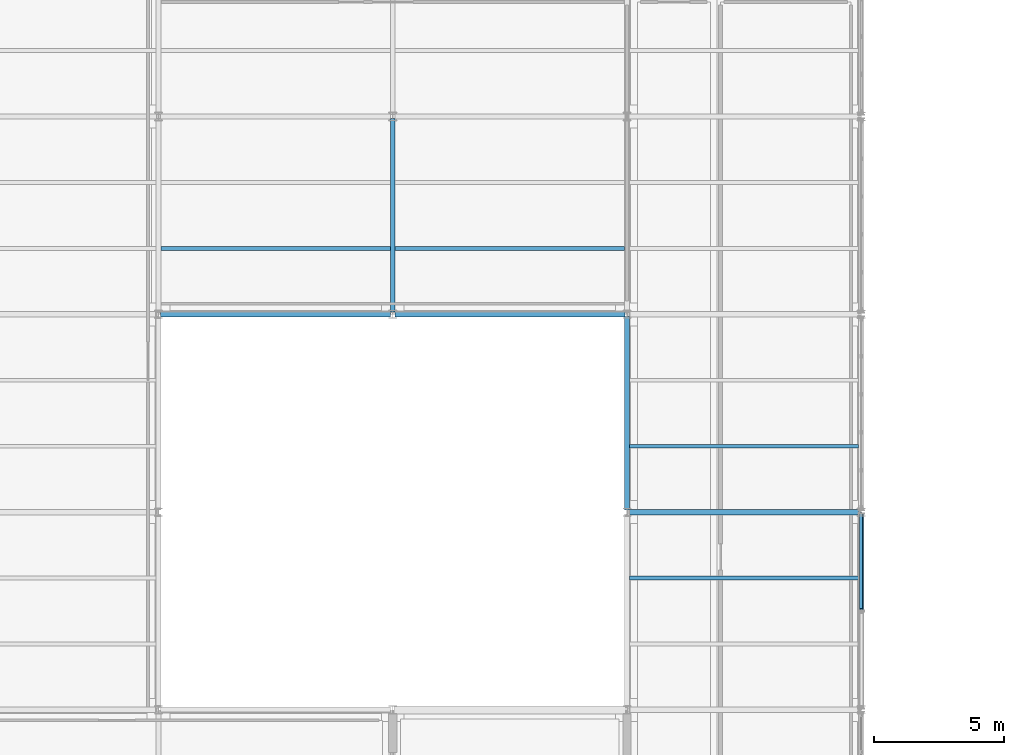
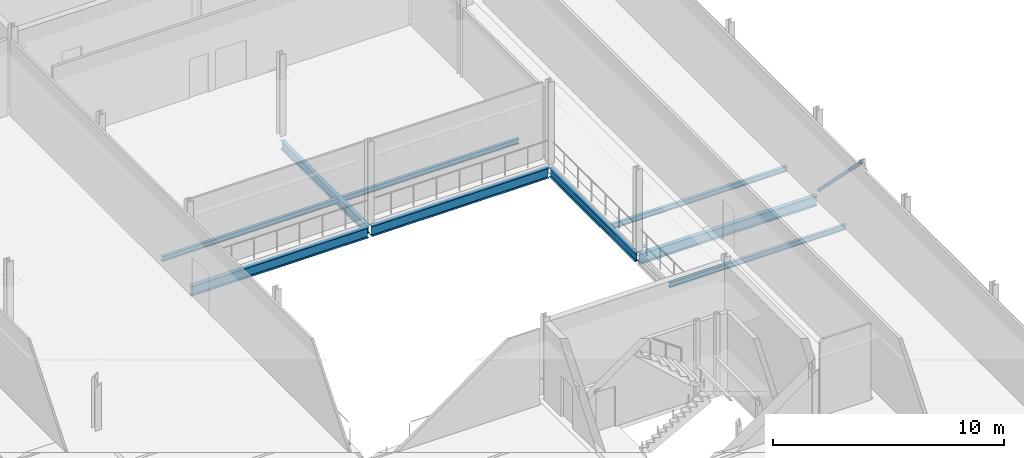
# One storey, part 116 of 166: 9 beams, 1 member.
"""IFC4 building model written with IfcOpenShell, lengths in metres."""

import ifcopenshell
import ifcopenshell.guid

model = None  # the IFC model being written
_history = None  # IfcOwnerHistory: only IFC2X3 demands one
_inside = {}  # id of a spatial element -> (the spatial element, [elements in it])
_under = {}  # id of a project, library or spatial element -> (it, [spatial elements below it])
_declared = {}  # id of a project -> (the project, [libraries it declares])
_typed = {}  # id of a type object -> (the type object, [elements of that type])
_made_of = {}  # id of a material, layer set ... -> (it, [elements and type objects made of it])


def new_model(schema):
    """Start an empty IFC model of exactly this schema.

    Asked for "IFC4X3", IfcOpenShell would pick the latest addendum, in which some entities
    have other attributes; the version numbers below select the first issue.
    IFC2X3 requires an IfcOwnerHistory on every rooted entity: one is made here for all.
    """
    global model, _history
    if schema == "IFC4X3":
        model = ifcopenshell.file(schema_version=(4, 3, 0, 0))
    else:
        model = ifcopenshell.file(schema=schema)
    _inside.clear()
    _under.clear()
    _declared.clear()
    _typed.clear()
    _made_of.clear()
    _history = None
    if model.schema == "IFC2X3":
        org = make("IfcOrganization", Name="unknown")
        user = make(
            "IfcPersonAndOrganization",
            ThePerson=make("IfcPerson", FamilyName="unknown"),
            TheOrganization=org,
        )
        app = make(
            "IfcApplication",
            ApplicationDeveloper=org,
            Version="unknown",
            ApplicationFullName="unknown",
            ApplicationIdentifier="unknown",
        )
        _history = make(
            "IfcOwnerHistory",
            OwningUser=user,
            OwningApplication=app,
            ChangeAction="ADDED",
            CreationDate=0,
        )
    return model


def make(cls, **values):
    """One entity of the class cls with the attributes given. An attribute that is None is left unset."""
    return model.create_entity(
        cls, **{name: value for name, value in values.items() if value is not None}
    )


def rooted(cls, **values):
    """An entity with a GlobalId (a new one), such as an element, a storey or a relation."""
    return make(cls, GlobalId=ifcopenshell.guid.new(), OwnerHistory=_history, **values)


def si_unit(unit_type, name, prefix=None):
    """IfcSIUnit, for example si_unit("LENGTHUNIT", "METRE", prefix="MILLI")."""
    return make("IfcSIUnit", UnitType=unit_type, Prefix=prefix, Name=name)


def assignment(units):
    """IfcUnitAssignment: the units of a project."""
    return None if units is None else make("IfcUnitAssignment", Units=units)


def point(xyz):
    """IfcCartesianPoint."""
    return None if xyz is None else make("IfcCartesianPoint", Coordinates=xyz)


def direction(xyz):
    """IfcDirection."""
    return None if xyz is None else make("IfcDirection", DirectionRatios=xyz)


def frame(location, z_axis=None, x_axis=None):
    """IfcAxis2Placement3D, a coordinate frame: its origin and axes. An axis left out is left unset."""
    return make(
        "IfcAxis2Placement3D",
        Location=point(location),
        Axis=direction(z_axis),
        RefDirection=direction(x_axis),
    )


def frame_2d(location, x_axis=None):
    """IfcAxis2Placement2D, a coordinate frame in the plane: its origin and x axis."""
    return make(
        "IfcAxis2Placement2D", Location=point(location), RefDirection=direction(x_axis)
    )


def origin():
    """The frame at (0, 0, 0) with its axes left unset."""
    return frame((0.0, 0.0, 0.0))


def origin_2d():
    """The frame at (0, 0) in the plane with its x axis left unset."""
    return frame_2d((0.0, 0.0))


def place(relative_to, where):
    """IfcLocalPlacement: puts the frame where relative to a parent placement (None: the world)."""
    return make(
        "IfcLocalPlacement", PlacementRelTo=relative_to, RelativePlacement=where
    )


def context(
    kind, dimensions, precision=None, world=None, true_north=None, identifier=None
):
    """IfcGeometricRepresentationContext, for example the 3D "Model" context."""
    return make(
        "IfcGeometricRepresentationContext",
        ContextIdentifier=identifier,
        ContextType=kind,
        CoordinateSpaceDimension=dimensions,
        Precision=precision,
        WorldCoordinateSystem=world,
        TrueNorth=true_north,
    )


def subcontext(parent, identifier, kind, view, scale=None):
    """IfcGeometricRepresentationSubContext, for example "Body" below "Model"."""
    return make(
        "IfcGeometricRepresentationSubContext",
        ContextIdentifier=identifier,
        ContextType=kind,
        ParentContext=parent,
        TargetScale=scale,
        TargetView=view,
    )


def project(units=None, contexts=None):
    """IfcProject with its units and contexts."""
    return rooted(
        "IfcProject",
        Name="project",
        RepresentationContexts=contexts,
        UnitsInContext=assignment(units),
    )


def spatial(cls, under=None, at=None, **own):
    """A site, building, storey or space (cls), placed at a placement, below another one or the project."""
    s = rooted(cls, ObjectPlacement=at, **own)
    if under is not None:
        _under.setdefault(under.id(), (under, []))[1].append(s)
    return s


def profile(cls, at=None, kind="AREA", **sizes):
    """A parametric profile (cls). Its sizes go by their IFC names, for example OverallWidth=200.0."""
    return make(cls, ProfileType=kind, Position=at, **sizes)


def hollow_circle(**sizes):
    """IfcCircleHollowProfileDef."""
    return profile("IfcCircleHollowProfileDef", **sizes)


def i_section(**sizes):
    """IfcIShapeProfileDef."""
    return profile("IfcIShapeProfileDef", **sizes)


def extrude(swept, where, along, depth):
    """IfcExtrudedAreaSolid: the profile swept, set in the frame where, extruded along a direction by depth."""
    return make(
        "IfcExtrudedAreaSolid",
        SweptArea=swept,
        Position=where,
        ExtrudedDirection=direction(along),
        Depth=depth,
    )


def shape(context_of_items, identifier, shape_type, items):
    """IfcShapeRepresentation: the items that make up one representation, for example the "Body"."""
    return make(
        "IfcShapeRepresentation",
        ContextOfItems=context_of_items,
        RepresentationIdentifier=identifier,
        RepresentationType=shape_type,
        Items=items,
    )


def material(Name=None, Category=None):
    """IfcMaterial."""
    return make("IfcMaterial", Name=Name, Category=Category)


def material_profile(
    of_material, cross_section, Name=None, Category=None, Priority=None
):
    """IfcMaterialProfile: a cross section and its material."""
    return make(
        "IfcMaterialProfile",
        Name=Name,
        Material=of_material,
        Profile=cross_section,
        Priority=Priority,
        Category=Category,
    )


def profile_set(profiles, Name=None, composite=None):
    """IfcMaterialProfileSet."""
    return make(
        "IfcMaterialProfileSet",
        Name=Name,
        MaterialProfiles=profiles,
        CompositeProfile=composite,
    )


def made_of(thing, what):
    """Note that an element or type object is made of a material, layer set ...; save() writes the relation."""
    if what is not None:
        _made_of.setdefault(what.id(), (what, []))[1].append(thing)
    return thing


def type_object(cls, material=None, **own):
    """A type object (cls), such as IfcWallType, which elements share."""
    return made_of(rooted(cls, **own), material)


def element(
    cls,
    number,
    at=None,
    inside=None,
    cuts=None,
    type_object=None,
    material=None,
    context=None,
    identifier="Body",
    shape_type=None,
    held_by="IfcProductDefinitionShape",
    body=None,
    shapes=None,
    **own,
):
    """One element of the class cls, such as IfcWall. Its Tag is "e" and its number.

    at: its placement. inside: the storey or other place that contains it. cuts: it is an
    opening in that element (IfcRelVoidsElement). A single representation is given by context,
    identifier, shape_type and body (its items); several are given by shapes. held_by: the class
    of the entity that holds the representations. save() writes the other relations.
    """
    e = rooted(cls, Tag="e%d" % number, ObjectPlacement=at, **own)
    if body is not None:
        shapes = [shape(context, identifier, shape_type, body)]
    if shapes is not None:
        e.Representation = make(held_by, Representations=shapes)
    if inside is not None:
        _inside.setdefault(inside.id(), (inside, []))[1].append(e)
    if cuts is not None:
        rooted(
            "IfcRelVoidsElement", RelatingBuildingElement=cuts, RelatedOpeningElement=e
        )
    if type_object is not None:
        _typed.setdefault(type_object.id(), (type_object, []))[1].append(e)
    return made_of(e, material)


def aggregate(whole, parts):
    """IfcRelAggregates: a whole, such as a stair, and the parts it consists of."""
    return rooted("IfcRelAggregates", RelatingObject=whole, RelatedObjects=parts)


def save(model, path):
    """Write the relations noted so far, then the file.

    IfcRelAggregates (storeys below a building ...), IfcRelContainedInSpatialStructure (elements
    in a storey), IfcRelDefinesByType, IfcRelAssociatesMaterial and IfcRelDeclares: one each for
    every whole, place, type object, material and project.
    """
    for whole, parts in _under.values():
        aggregate(whole, parts)
    for where, things in _inside.values():
        rooted(
            "IfcRelContainedInSpatialStructure",
            RelatedElements=things,
            RelatingStructure=where,
        )
    for kind, things in _typed.values():
        rooted("IfcRelDefinesByType", RelatedObjects=things, RelatingType=kind)
    for what, things in _made_of.values():
        rooted("IfcRelAssociatesMaterial", RelatedObjects=things, RelatingMaterial=what)
    for by, libraries in _declared.values():
        rooted("IfcRelDeclares", RelatingContext=by, RelatedDefinitions=libraries)
    model.write(path)


model = new_model("IFC4")

# Units and contexts
model_context = context("Model", 3, precision=1e-05, world=origin(), true_north=direction((0.0, 1.0)))
body_context = subcontext(model_context, "Body", "Model", "MODEL_VIEW")
ifc_project = project(units=[si_unit("LENGTHUNIT", "METRE"), si_unit("AREAUNIT", "SQUARE_METRE"), si_unit("VOLUMEUNIT", "CUBIC_METRE"), si_unit("PLANEANGLEUNIT", "RADIAN"), si_unit("MASSUNIT", "GRAM", prefix="KILO")], contexts=[model_context])

# Site, building, storey
site_placement = place(None, origin())
site = spatial("IfcSite", under=ifc_project, at=site_placement, CompositionType="ELEMENT")
building_placement = place(site_placement, origin())
building = spatial("IfcBuilding", under=site, at=building_placement, Name="Caisbarro Railhouse Central Library", CompositionType="ELEMENT")
storey_placement = place(building_placement, frame((0.0, 0.0, 9.360107421875)))
storey = spatial("IfcBuildingStorey", under=building, at=storey_placement, Name="L02", CompositionType="ELEMENT", Elevation=9.360107421875)

# Beams
ifc_material = material(Name="Steel ASTM A572 Grade 50", Category="steel")
ifc_material_profile_1 = material_profile(ifc_material, i_section(OverallWidth=0.208984375, OverallDepth=0.532958984375, WebThickness=0.01025390625, FlangeThickness=0.015625, FilletRadius=0.02001953125, at=origin_2d()), Name="W530X92.0")
ifc_profile_set_1 = profile_set([ifc_material_profile_1], Name="Steel ASTM A572 Grade 50")
beam_type_1 = type_object("IfcBeamType", Name="BM-G06", PredefinedType="BEAM", material=ifc_profile_set_1)
for number, where, z_axis, x_axis, name in (
    (1, (144.080078125, 83.60009765625, -0.486572265625), (1.0, 0.0, 0.0), (0.0, 1.0, 0.0), "G06 beam L02 #1489"),
    (2, (126.080078125, 91.199951171875, -0.486572265625), (1.0, 0.0, 0.0), (0.0, 1.0, 0.0), "G06 beam L02 #1491"),
    (3, (135.080078125, 91.199951171875, -0.486572265625), (1.0, 0.0, 0.0), (0.0, 1.0, 0.0), "G06 beam L02 #1492"),
):
    element("IfcBeam", number, at=place(storey_placement, frame(where, z_axis=z_axis, x_axis=x_axis)), inside=storey, type_object=beam_type_1, Name=name, PredefinedType="BEAM", context=body_context, shape_type="SweptSolid", body=[
        extrude(i_section(OverallWidth=0.208984375, OverallDepth=0.532958984375, WebThickness=0.01025390625, FlangeThickness=0.015625, FilletRadius=0.02001953125, at=origin_2d()), origin(), (0.0, 0.0, 1.0), 8.83984375),
    ])
ifc_material_profile_2 = material_profile(ifc_material, i_section(OverallWidth=0.18994140625, OverallDepth=0.45703125, WebThickness=0.009033203125, FlangeThickness=0.014404296875, FilletRadius=0.01806640625, at=origin_2d()), Name="W460X74.0")
ifc_profile_set_2 = profile_set([ifc_material_profile_2], Name="Steel ASTM A572 Grade 50")
beam_type_2 = type_object("IfcBeamType", Name="BM-G08", PredefinedType="BEAM", material=ifc_profile_set_2)
beam_1_placement = place(storey_placement, frame((135.0, 91.280029296875, -0.448486328125), z_axis=(0.0, 1.0, 0.0), x_axis=(-1.0, 0.0, 0.0)))
element("IfcBeam", 4, at=beam_1_placement, inside=storey, type_object=beam_type_2, Name="G08 beam L02 #1522", PredefinedType="BEAM", context=body_context, shape_type="SweptSolid", body=[
    extrude(i_section(OverallWidth=0.18994140625, OverallDepth=0.45703125, WebThickness=0.009033203125, FlangeThickness=0.014404296875, FilletRadius=0.01806640625, at=origin_2d()), origin(), (0.0, 0.0, 1.0), 7.43994140625),
])
beam_2_placement = place(storey_placement, frame((144.0, 83.679931640625, -0.448486328125), z_axis=(0.0, 1.0, 0.0), x_axis=(-1.0, 0.0, 0.0)))
element("IfcBeam", 5, at=beam_2_placement, inside=storey, type_object=beam_type_2, Name="G08 beam L02 #1528", PredefinedType="BEAM", context=body_context, shape_type="SweptSolid", body=[
    extrude(i_section(OverallWidth=0.18994140625, OverallDepth=0.45703125, WebThickness=0.009033203125, FlangeThickness=0.014404296875, FilletRadius=0.01806640625, at=origin_2d()), origin(), (0.0, 0.0, 1.0), 7.440185546875),
])
ifc_material_profile_3 = material_profile(ifc_material, i_section(OverallWidth=0.14794921875, OverallDepth=0.26611328125, WebThickness=0.007568359375, FlangeThickness=0.012939453125, FilletRadius=0.010009765625, at=origin_2d()), Name="W250X44.8")
ifc_profile_set_3 = profile_set([ifc_material_profile_3], Name="Steel ASTM A572 Grade 50")
beam_type_3 = type_object("IfcBeamType", Name="BM-J04", PredefinedType="JOIST", material=ifc_profile_set_3)
for number, where, z_axis, x_axis, name in (
    (6, (126.094970703125, 93.7333984375, -0.35302734375), (1.0, 0.0, 0.0), (0.0, 1.0, 0.0), "J04 beam L02 #1557"),
    (7, (135.094970703125, 93.7333984375, -0.35302734375), (1.0, 0.0, 0.0), (0.0, 1.0, 0.0), "J04 beam L02 #1563"),
):
    element("IfcBeam", number, at=place(storey_placement, frame(where, z_axis=z_axis, x_axis=x_axis)), inside=storey, type_object=beam_type_3, Name=name, PredefinedType="JOIST", context=body_context, shape_type="SweptSolid", body=[
        extrude(i_section(OverallWidth=0.14794921875, OverallDepth=0.26611328125, WebThickness=0.007568359375, FlangeThickness=0.012939453125, FilletRadius=0.010009765625, at=origin_2d()), origin(), (0.0, 0.0, 1.0), 8.81005859375),
    ])
for number, where, z_axis, x_axis, name in (
    (8, (144.094970703125, 81.066650390625, -0.35302734375), (1.0, 0.0, 0.0), (0.0, 1.0, 0.0), "J04 beam L02 #1574"),
    (9, (144.094970703125, 86.13330078125, -0.35302734375), (1.0, 0.0, 0.0), (0.0, 1.0, 0.0), "J04 beam L02 #1575"),
):
    element("IfcBeam", number, at=place(storey_placement, frame(where, z_axis=z_axis, x_axis=x_axis)), inside=storey, type_object=beam_type_3, Name=name, PredefinedType="JOIST", context=body_context, shape_type="SweptSolid", body=[
        extrude(i_section(OverallWidth=0.14794921875, OverallDepth=0.26611328125, WebThickness=0.007568359375, FlangeThickness=0.012939453125, FilletRadius=0.010009765625, at=origin_2d()), origin(), (0.0, 0.0, 1.0), 8.804931640625),
    ])

# Member
ifc_material_profile_4 = material_profile(ifc_material, hollow_circle(Radius=0.084228515625, WallThickness=0.008056640625, at=origin_2d()), Name="CHS168.3X8")
ifc_profile_set_4 = profile_set([ifc_material_profile_4], Name="Steel ASTM A572 Grade 50")
member_type = type_object("IfcMemberType", Name="MEM-BR04", PredefinedType="BRACE", material=ifc_profile_set_4)
member_placement = place(storey_placement, frame((153.0, 83.5400390625, 0.019775390625), z_axis=(0.0, -0.705173119443, 0.709035169519), x_axis=(1.0, 0.0, 0.0)))
element("IfcMember", 10, at=member_placement, inside=storey, type_object=member_type, Name="BR04 chevron brace X153 L02.2", PredefinedType="BRACE", context=body_context, shape_type="SweptSolid", body=[
    extrude(hollow_circle(Radius=0.084228515625, WallThickness=0.008056640625, at=origin_2d()), origin(), (0.0, 0.0, 1.0), 5.246826171875),
])

save(model, "model.ifc")
